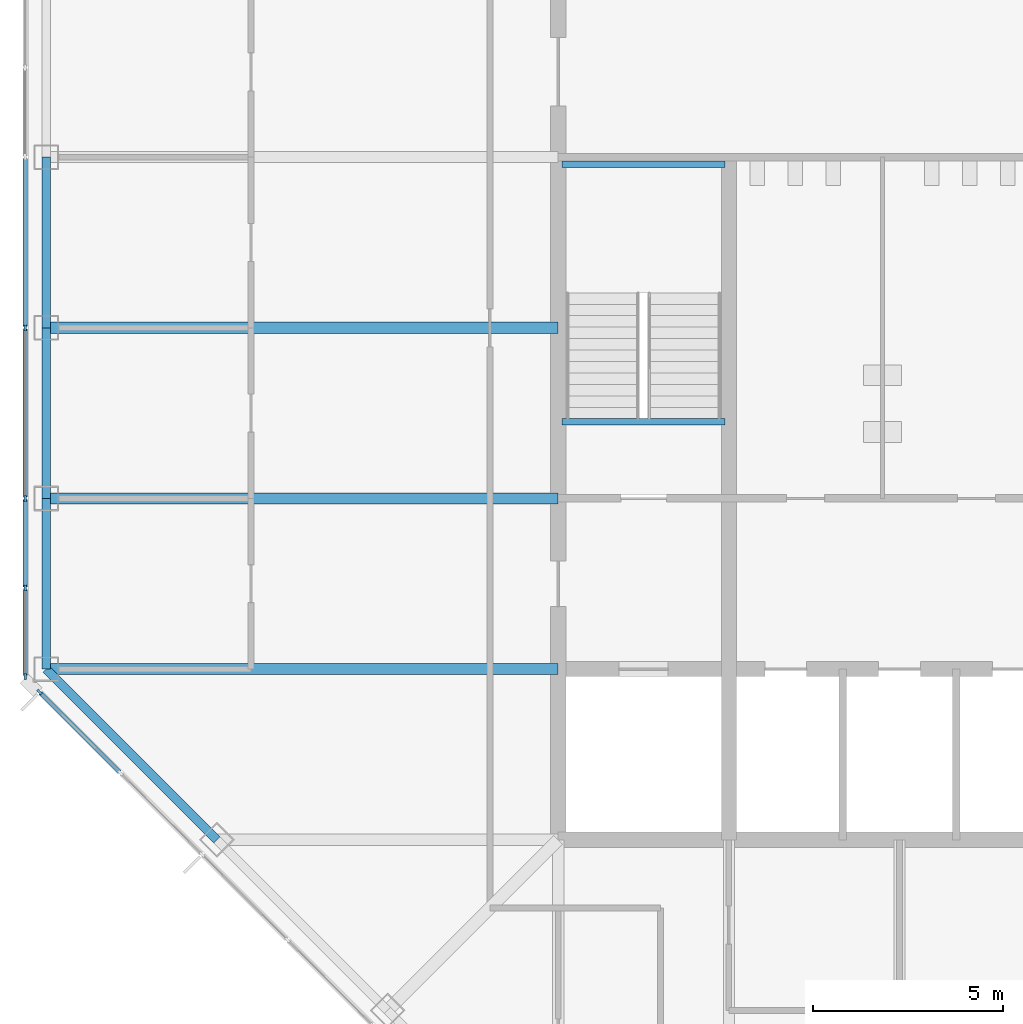
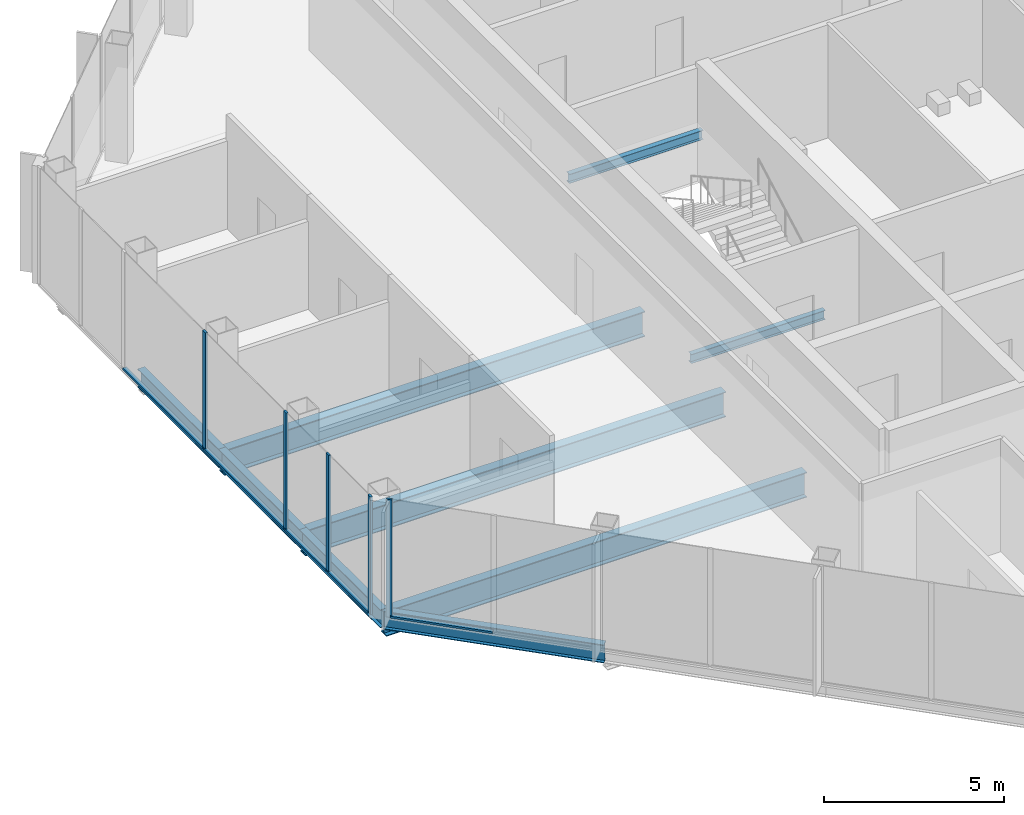
# One storey, part 3 of 14: 10 members, 9 beams, 2 elements without a shape of their own.
"""IFC4 building model written with IfcOpenShell, lengths in metres."""

from ifc_helpers import new_model, si_unit, direction, frame, origin, origin_2d, place, context, subcontext, project, spatial, rectangle, i_section, extrude, material, material_profile, profile_set, type_object, element, aggregate, save


model = new_model("IFC4")

# Units and contexts
model_context = context("Model", 3, precision=1e-05, world=origin(), true_north=direction((0.0, 1.0)))
body_context = subcontext(model_context, "Body", "Model", "MODEL_VIEW")
ifc_project = project(units=[si_unit("LENGTHUNIT", "METRE"), si_unit("AREAUNIT", "SQUARE_METRE"), si_unit("VOLUMEUNIT", "CUBIC_METRE"), si_unit("PLANEANGLEUNIT", "RADIAN"), si_unit("MASSUNIT", "GRAM", prefix="KILO")], contexts=[model_context])

# Site, building, storey
site_placement = place(None, origin())
site = spatial("IfcSite", under=ifc_project, at=site_placement, CompositionType="ELEMENT")
building_placement = place(site_placement, origin())
building = spatial("IfcBuilding", under=site, at=building_placement, Name="Corais Broadcast Tower", CompositionType="ELEMENT")
storey_placement = place(building_placement, frame((0.0, 0.0, 230.60009765625)))
storey = spatial("IfcBuildingStorey", under=building, at=storey_placement, Name="L53", CompositionType="ELEMENT", Elevation=230.60009765625)

# Beams
ifc_material_1 = material(Name="Steel ASTM A572 Grade 50", Category="steel")
ifc_material_profile_1 = material_profile(ifc_material_1, i_section(OverallWidth=0.2939453125, OverallDepth=0.85107421875, WebThickness=0.01611328125, FlangeThickness=0.02685546875, at=origin_2d()), Name="W840x226")
ifc_profile_set_1 = profile_set([ifc_material_profile_1], Name="Steel ASTM A572 Grade 50")
beam_type_1 = type_object("IfcBeamType", Name="Floor beam W840x226", PredefinedType="BEAM", material=ifc_profile_set_1)
for number, where, z_axis, x_axis, name in (
    (1, (0.0, 18.0, -0.585693359375), (1.0, 0.0, 0.0), (0.0, 1.0, 0.0), "B1 E/3 to E/6"),
    (2, (0.0, 22.5, -0.585693359375), (1.0, 0.0, 0.0), (0.0, 1.0, 0.0), "B1 F/3 to F/6"),
    (3, (0.0, 27.0, -0.585693359375), (1.0, 0.0, 0.0), (0.0, 1.0, 0.0), "B1 G/3 to G/6"),
):
    element("IfcBeam", number, at=place(storey_placement, frame(where, z_axis=z_axis, x_axis=x_axis)), inside=storey, type_object=beam_type_1, Name=name, PredefinedType="BEAM", context=body_context, shape_type="SweptSolid", body=[
        extrude(i_section(OverallWidth=0.2939453125, OverallDepth=0.85107421875, WebThickness=0.01611328125, FlangeThickness=0.02685546875, at=origin_2d()), origin(), (0.0, 0.0, 1.0), 13.5),
    ])
ifc_material_2 = material(Name="Steel ASTM A572 Grade 50", Category="steel")
ifc_material_profile_2 = material_profile(ifc_material_2, i_section(OverallWidth=0.1650390625, OverallDepth=0.31005859375, WebThickness=0.005859375, FlangeThickness=0.009765625, at=origin_2d()), Name="W310x38.7")
ifc_profile_set_2 = profile_set([ifc_material_profile_2], Name="Steel ASTM A572 Grade 50")
beam_type_2 = type_object("IfcBeamType", Name="Landing trimmer W310x38.7", PredefinedType="BEAM", material=ifc_profile_set_2)
for number, where, z_axis, x_axis, name in (
    (4, (13.60009765625, 24.52490234375, -0.35498046875), (1.0, 0.0, 0.0), (0.0, 1.0, 0.0), "LT1 stair A landing trimmer L53"),
    (5, (13.60009765625, 31.31005859375, 1.64501953125), (1.0, 0.0, 0.0), (0.0, 1.0, 0.0), "LT1 stair A half landing trimmer L53"),
):
    element("IfcBeam", number, at=place(storey_placement, frame(where, z_axis=z_axis, x_axis=x_axis)), inside=storey, type_object=beam_type_2, Name=name, PredefinedType="BEAM", context=body_context, shape_type="SweptSolid", body=[
        extrude(i_section(OverallWidth=0.1650390625, OverallDepth=0.31005859375, WebThickness=0.005859375, FlangeThickness=0.009765625, at=origin_2d()), origin(), (0.0, 0.0, 1.0), 4.2998046875),
    ])

# Curtain wall, member
ifc_material_3 = material(Name="Aluminium and glass", Category="aluminium")
curtain_wall_type = type_object("IfcCurtainWallType", Name="Unitised fritted curtain wall CW3", PredefinedType="NOTDEFINED", material=ifc_material_3)
curtain_wall_1_placement = place(storey_placement, origin())
curtain_wall_1 = element("IfcCurtainWall", 6, at=curtain_wall_1_placement, inside=storey, type_object=curtain_wall_type, Name="CW3 curtain wall L53 1", PredefinedType="NOTDEFINED")
ifc_material_4 = material(Name="Aluminium 6063-T6", Category="aluminium")
ifc_material_profile_3 = material_profile(ifc_material_4, rectangle(XDim=0.06494140625, YDim=0.159912109375, at=origin_2d()), Name="Mullion CW3 65x160")
ifc_profile_set_3 = profile_set([ifc_material_profile_3], Name="Aluminium 6063-T6")
member_type_1 = type_object("IfcMemberType", Name="Mullion CW3 65x160", PredefinedType="MULLION", material=ifc_profile_set_3)
member_1_placement = place(storey_placement, frame((-0.17333984375, 17.3955078125, 0.0), z_axis=(0.0, 0.0, 1.0), x_axis=(-0.707106781187, -0.707106781187, 0.0)))
member_1 = element("IfcMember", 7, at=member_1_placement, type_object=member_type_1, Name="CW3 mullion 9", PredefinedType="MULLION", context=body_context, shape_type="SweptSolid", body=[
    extrude(rectangle(XDim=0.06494140625, YDim=0.159912109375, at=origin_2d()), origin(), (0.0, 0.0, 1.0), 4.0),
])

# Curtain wall, members
curtain_wall_2_placement = place(storey_placement, origin())
curtain_wall_2 = element("IfcCurtainWall", 8, at=curtain_wall_2_placement, inside=storey, type_object=curtain_wall_type, Name="CW3 curtain wall L53 2", PredefinedType="NOTDEFINED")
member_2_placement = place(storey_placement, frame((-0.550048828125, 17.8046875, 0.0), z_axis=(0.0, 0.0, 1.0), x_axis=(-1.0, 0.0, 0.0)))
member_2 = element("IfcMember", 9, at=member_2_placement, type_object=member_type_1, Name="CW3 mullion 1", PredefinedType="MULLION", context=body_context, shape_type="SweptSolid", body=[
    extrude(rectangle(XDim=0.06494140625, YDim=0.159912109375, at=origin_2d()), origin(), (0.0, 0.0, 1.0), 4.0),
])
member_3_placement = place(storey_placement, frame((-0.550048828125, 20.135986328125, 0.0), z_axis=(0.0, 0.0, 1.0), x_axis=(-1.0, 0.0, 0.0)))
member_3 = element("IfcMember", 10, at=member_3_placement, type_object=member_type_1, Name="CW3 mullion 2", PredefinedType="MULLION", context=body_context, shape_type="SweptSolid", body=[
    extrude(rectangle(XDim=0.06494140625, YDim=0.159912109375, at=origin_2d()), origin(), (0.0, 0.0, 1.0), 4.0),
])
member_4_placement = place(storey_placement, frame((-0.550048828125, 22.5, 0.0), z_axis=(0.0, 0.0, 1.0), x_axis=(-1.0, 0.0, 0.0)))
member_4 = element("IfcMember", 11, at=member_4_placement, type_object=member_type_1, Name="CW3 mullion 3", PredefinedType="MULLION", context=body_context, shape_type="SweptSolid", body=[
    extrude(rectangle(XDim=0.06494140625, YDim=0.159912109375, at=origin_2d()), origin(), (0.0, 0.0, 1.0), 4.0),
])
member_5_placement = place(storey_placement, frame((-0.550048828125, 27.0, 0.0), z_axis=(0.0, 0.0, 1.0), x_axis=(-1.0, 0.0, 0.0)))
member_5 = element("IfcMember", 12, at=member_5_placement, type_object=member_type_1, Name="CW3 mullion 4", PredefinedType="MULLION", context=body_context, shape_type="SweptSolid", body=[
    extrude(rectangle(XDim=0.06494140625, YDim=0.159912109375, at=origin_2d()), origin(), (0.0, 0.0, 1.0), 4.0),
])

# Beams
ifc_material_5 = material(Name="Steel ASTM A572 Grade 50", Category="steel")
ifc_material_profile_4 = material_profile(ifc_material_5, i_section(OverallWidth=0.22998046875, OverallDepth=0.616943359375, WebThickness=0.01318359375, FlangeThickness=0.022216796875, at=origin_2d()), Name="W610x140")
ifc_profile_set_4 = profile_set([ifc_material_profile_4], Name="Steel ASTM A572 Grade 50")
beam_type_3 = type_object("IfcBeamType", Name="Spandrel W610x140", PredefinedType="BEAM", material=ifc_profile_set_4)
beam_placement = place(storey_placement, frame((0.0, 18.0, -0.468505859375), z_axis=(0.707106781187, -0.707106781187, 0.0), x_axis=(0.707106781187, 0.707106781187, 0.0)))
element("IfcBeam", 13, at=beam_placement, inside=storey, type_object=beam_type_3, Name="SB3 E/3 to D/4", PredefinedType="BEAM", context=body_context, shape_type="SweptSolid", body=[
    extrude(i_section(OverallWidth=0.22998046875, OverallDepth=0.616943359375, WebThickness=0.01318359375, FlangeThickness=0.022216796875, at=origin_2d()), origin(), (0.0, 0.0, 1.0), 6.364013671875),
])
for number, where, z_axis, x_axis, name in (
    (14, (0.0, 22.5, -0.468505859375), (0.0, -1.0, 0.0), (1.0, 0.0, 0.0), "SB3 F/3 to E/3"),
    (15, (0.0, 27.0, -0.468505859375), (0.0, -1.0, 0.0), (1.0, 0.0, 0.0), "SB3 G/3 to F/3"),
    (16, (0.0, 31.5, -0.468505859375), (0.0, -1.0, 0.0), (1.0, 0.0, 0.0), "SB3 H/3 to G/3"),
):
    element("IfcBeam", number, at=place(storey_placement, frame(where, z_axis=z_axis, x_axis=x_axis)), inside=storey, type_object=beam_type_3, Name=name, PredefinedType="BEAM", context=body_context, shape_type="SweptSolid", body=[
        extrude(i_section(OverallWidth=0.22998046875, OverallDepth=0.616943359375, WebThickness=0.01318359375, FlangeThickness=0.022216796875, at=origin_2d()), origin(), (0.0, 0.0, 1.0), 4.5),
    ])

# Member
ifc_material_6 = material(Name="Aluminium 6063-T6", Category="aluminium")
ifc_material_profile_5 = material_profile(ifc_material_6, rectangle(XDim=0.1201171875, YDim=0.06494140625, at=origin_2d()), Name="Transom CW3 65x120")
ifc_profile_set_5 = profile_set([ifc_material_profile_5], Name="Aluminium 6063-T6")
member_type_2 = type_object("IfcMemberType", Name="Transom CW3 65x120", PredefinedType="USERDEFINED", material=ifc_profile_set_5)
member_6_placement = place(storey_placement, frame((1.934326171875, 15.287841796875, 0.032470703125), z_axis=(-0.707106781187, 0.707106781187, 0.0), x_axis=(-0.707106781187, -0.707106781187, 0.0)))
member_6 = element("IfcMember", 17, at=member_6_placement, type_object=member_type_2, Name="CW3 transom 8.1", ObjectType="TRANSOM", PredefinedType="USERDEFINED", context=body_context, shape_type="SweptSolid", body=[
    extrude(rectangle(XDim=0.1201171875, YDim=0.06494140625, at=origin_2d()), origin(), (0.0, 0.0, 1.0), 2.9482421875),
])

aggregate(curtain_wall_1, [member_1, member_6])

member_7_placement = place(storey_placement, frame((-0.550048828125, 17.837158203125, 0.032470703125), z_axis=(0.0, 1.0, 0.0), x_axis=(-1.0, 0.0, 0.0)))
member_7 = element("IfcMember", 18, at=member_7_placement, type_object=member_type_2, Name="CW3 transom 1.1", ObjectType="TRANSOM", PredefinedType="USERDEFINED", context=body_context, shape_type="SweptSolid", body=[
    extrude(rectangle(XDim=0.1201171875, YDim=0.06494140625, at=origin_2d()), origin(), (0.0, 0.0, 1.0), 2.266357421875),
])

member_8_placement = place(storey_placement, frame((-0.550048828125, 20.168701171875, 0.032470703125), z_axis=(0.0, 1.0, 0.0), x_axis=(-1.0, 0.0, 0.0)))
member_8 = element("IfcMember", 19, at=member_8_placement, type_object=member_type_2, Name="CW3 transom 2.1", ObjectType="TRANSOM", PredefinedType="USERDEFINED", context=body_context, shape_type="SweptSolid", body=[
    extrude(rectangle(XDim=0.1201171875, YDim=0.06494140625, at=origin_2d()), origin(), (0.0, 0.0, 1.0), 2.298828125),
])

member_9_placement = place(storey_placement, frame((-0.550048828125, 22.532470703125, 0.032470703125), z_axis=(0.0, 1.0, 0.0), x_axis=(-1.0, 0.0, 0.0)))
member_9 = element("IfcMember", 20, at=member_9_placement, type_object=member_type_2, Name="CW3 transom 3.1", ObjectType="TRANSOM", PredefinedType="USERDEFINED", context=body_context, shape_type="SweptSolid", body=[
    extrude(rectangle(XDim=0.1201171875, YDim=0.06494140625, at=origin_2d()), origin(), (0.0, 0.0, 1.0), 4.43505859375),
])

member_10_placement = place(storey_placement, frame((-0.550048828125, 27.032470703125, 0.032470703125), z_axis=(0.0, 1.0, 0.0), x_axis=(-1.0, 0.0, 0.0)))
member_10 = element("IfcMember", 21, at=member_10_placement, type_object=member_type_2, Name="CW3 transom 4.1", ObjectType="TRANSOM", PredefinedType="USERDEFINED", context=body_context, shape_type="SweptSolid", body=[
    extrude(rectangle(XDim=0.1201171875, YDim=0.06494140625, at=origin_2d()), origin(), (0.0, 0.0, 1.0), 4.43505859375),
])

aggregate(curtain_wall_2, [member_2, member_3, member_4, member_5, member_7, member_8, member_9, member_10])

save(model, "model.ifc")
